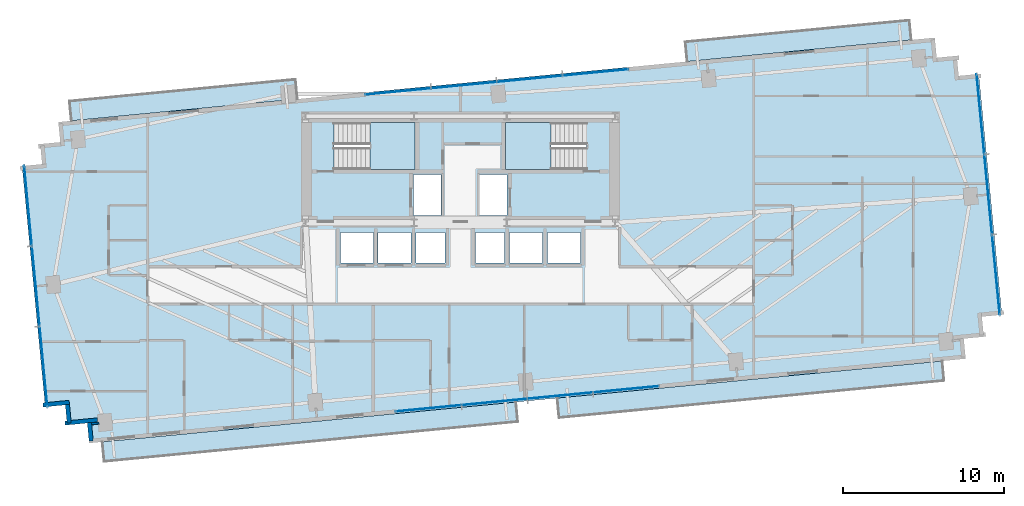
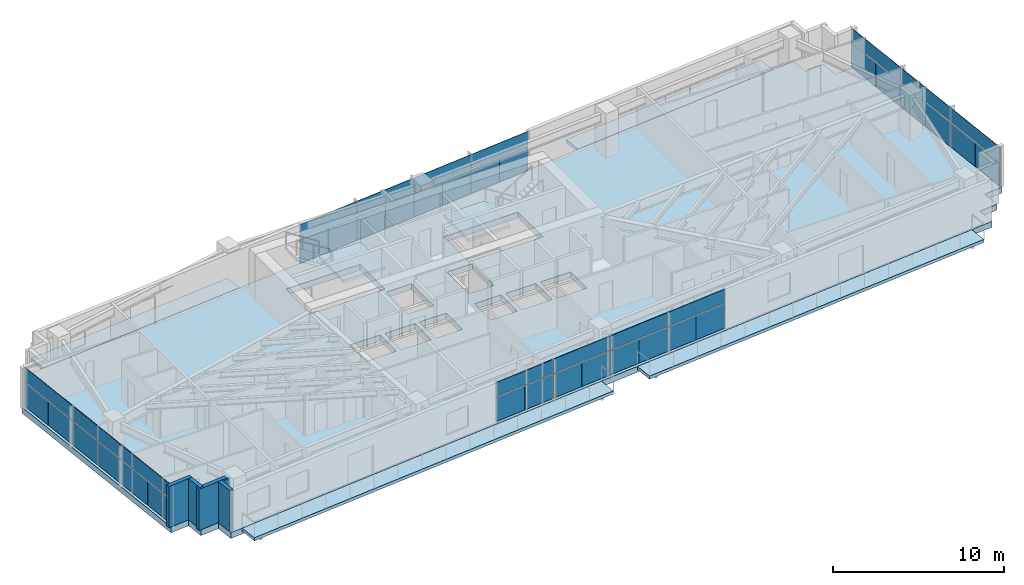
# One storey, part 18 of 25: 42 plates, 7 slabs, 5 walls, 6 elements without a shape of their own.
"""IFC4 building model written with IfcOpenShell, lengths in metres."""

from ifc_helpers import new_model, si_unit, direction, frame, frame_2d, origin, origin_2d, place, context, subcontext, project, spatial, polyline, rectangle, outline, extrude, source, transform, mapped, material, layer, layer_set, type_object, type_shapes, element, aggregate, save


model = new_model("IFC4")

# Units and contexts
model_context = context("Model", 3, precision=1e-05, world=origin(), true_north=direction((0.0, 1.0)))
body_context = subcontext(model_context, "Body", "Model", "MODEL_VIEW")
ifc_project = project(units=[si_unit("LENGTHUNIT", "METRE"), si_unit("AREAUNIT", "SQUARE_METRE"), si_unit("VOLUMEUNIT", "CUBIC_METRE"), si_unit("PLANEANGLEUNIT", "RADIAN"), si_unit("MASSUNIT", "GRAM", prefix="KILO")], contexts=[model_context])

# Site, building, storey
site_placement = place(None, origin())
site = spatial("IfcSite", under=ifc_project, at=site_placement, CompositionType="ELEMENT")
building_placement = place(site_placement, origin())
building = spatial("IfcBuilding", under=site, at=building_placement, Name="Astriad Promenade Condominiums", CompositionType="ELEMENT")
storey_placement = place(building_placement, frame((0.0, 0.0, 77.800048828125)))
storey = spatial("IfcBuildingStorey", under=building, at=storey_placement, Name="L21", CompositionType="ELEMENT", Elevation=77.800048828125)

# Slab
ifc_material_1 = material(Name="Concrete C60/75", Category="concrete")
ifc_layer_1 = layer(ifc_material_1, 0.419921875)
ifc_layer_set_1 = layer_set([ifc_layer_1], Name="Concrete C60/75")
slab_type_1 = type_object("IfcSlabType", Name="CONCRETE TRANSFER FLOOR SLAB 420", PredefinedType="FLOOR", material=ifc_layer_set_1)
slab_1_placement = place(storey_placement, frame((0.0, 0.0, -0.420166015625)))
element("IfcSlab", 1, at=slab_1_placement, inside=storey, type_object=slab_type_1, Name="Structural Floor Slab (L21)", PredefinedType="FLOOR", context=body_context, shape_type="SweptSolid", body=[
    extrude(outline(polyline([(12.984130859375, 3.7294921875), (67.332763671875, 8.962646484375), (67.212890625, 10.206787109375), (68.457275390625, 10.32666015625), (68.33740234375, 11.57080078125), (69.58154296875, 11.690673828125), (68.14404296875, 26.62158203125), (66.899658203125, 26.501953125), (66.77978515625, 27.74609375), (65.53564453125, 27.626220703125), (65.416015625, 28.87060546875), (11.067138671875, 23.637451171875), (11.18701171875, 22.39306640625), (9.94287109375, 22.273193359375), (10.0625, 21.029052734375), (8.818359375, 20.9091796875), (10.256103515625, 5.978271484375), (11.500244140625, 6.09814453125), (11.6201171875, 4.85400390625), (12.8642578125, 4.9736328125), (12.984130859375, 3.7294921875)]), holes=[polyline([(28.175048828125, 20.699951171875), (33.175048828125, 20.699951171875), (33.175048828125, 23.60009765625), (28.175048828125, 23.60009765625), (28.175048828125, 20.699951171875)]), polyline([(38.824951171875, 20.699951171875), (43.824951171875, 20.699951171875), (43.824951171875, 23.60009765625), (38.824951171875, 23.60009765625), (38.824951171875, 20.699951171875)]), polyline([(33.10009765625, 17.85009765625), (34.800048828125, 17.85009765625), (34.800048828125, 20.39990234375), (33.10009765625, 20.39990234375), (33.10009765625, 17.85009765625)]), polyline([(37.199951171875, 17.85009765625), (38.89990234375, 17.85009765625), (38.89990234375, 20.39990234375), (37.199951171875, 20.39990234375), (37.199951171875, 17.85009765625)]), polyline([(28.550048828125, 14.89990234375), (30.60009765625, 14.89990234375), (30.60009765625, 16.800048828125), (28.550048828125, 16.800048828125), (28.550048828125, 14.89990234375)]), polyline([(30.89990234375, 14.89990234375), (32.949951171875, 14.89990234375), (32.949951171875, 16.800048828125), (30.89990234375, 16.800048828125), (30.89990234375, 14.89990234375)]), polyline([(33.25, 14.89990234375), (35.050048828125, 14.89990234375), (35.050048828125, 16.800048828125), (33.25, 16.800048828125), (33.25, 14.89990234375)]), polyline([(36.949951171875, 14.89990234375), (38.75, 14.89990234375), (38.75, 16.800048828125), (36.949951171875, 16.800048828125), (36.949951171875, 14.89990234375)]), polyline([(39.050048828125, 14.89990234375), (41.10009765625, 14.89990234375), (41.10009765625, 16.800048828125), (39.050048828125, 16.800048828125), (39.050048828125, 14.89990234375)]), polyline([(41.39990234375, 14.89990234375), (43.449951171875, 14.89990234375), (43.449951171875, 16.800048828125), (41.39990234375, 16.800048828125), (41.39990234375, 14.89990234375)])]), origin(), (0.0, 0.0, 1.0), 0.420166015625),
])

# Stair, slab
ifc_material_2 = material(Name="Concrete C50/60", Category="concrete")
stair_type = type_object("IfcStairType", Name="STR-CORE-1350", PredefinedType="HALF_TURN_STAIR", material=ifc_material_2)
stair_1_placement = place(storey_placement, origin())
stair_1 = element("IfcStair", 2, at=stair_1_placement, inside=storey, type_object=stair_type, Name="L21 Enclosed Core Exit Stair ST-1", PredefinedType="HALF_TURN_STAIR")
ifc_layer_2 = layer(ifc_material_2, 0.219970703125)
ifc_layer_set_2 = layer_set([ifc_layer_2], Name="Concrete C50/60")
slab_type_2 = type_object("IfcSlabType", Name="SLB-LANDING-220", PredefinedType="LANDING", material=ifc_layer_set_2)
slab_2_placement = place(storey_placement, frame((0.0, 0.0, 1.39990234375)))
slab_2 = element("IfcSlab", 3, at=slab_2_placement, type_object=slab_type_2, Name="ST-1 landing 1", PredefinedType="LANDING", context=body_context, shape_type="SweptSolid", body=[
    extrude(outline(polyline([(30.389892578125, 20.699951171875), (33.199951171875, 20.699951171875), (33.199951171875, 23.60009765625), (30.389892578125, 23.60009765625), (30.389892578125, 20.699951171875)])), origin(), (0.0, 0.0, 1.0), 0.199951171875),
])
aggregate(stair_1, [slab_2])

stair_2_placement = place(storey_placement, origin())
stair_2 = element("IfcStair", 4, at=stair_2_placement, inside=storey, type_object=stair_type, Name="L21 Enclosed Core Exit Stair ST-2", PredefinedType="HALF_TURN_STAIR")
slab_3_placement = place(storey_placement, frame((0.0, 0.0, 1.39990234375)))
slab_3 = element("IfcSlab", 5, at=slab_3_placement, type_object=slab_type_2, Name="ST-2 landing 1", PredefinedType="LANDING", context=body_context, shape_type="SweptSolid", body=[
    extrude(outline(polyline([(41.610107421875, 23.60009765625), (38.800048828125, 23.60009765625), (38.800048828125, 20.699951171875), (41.610107421875, 20.699951171875), (41.610107421875, 23.60009765625)])), origin(), (0.0, 0.0, 1.0), 0.199951171875),
])
aggregate(stair_2, [slab_3])

# Slabs
ifc_material_3 = material(Name="Precast concrete C50/60", Category="concrete")
ifc_layer_3 = layer(ifc_material_3, 0.219970703125)
ifc_layer_set_3 = layer_set([ifc_layer_3], Name="Precast concrete C50/60")
slab_type_3 = type_object("IfcSlabType", Name="WHITE PRECAST CONCRETE WAVE BALCONY SLAB 220", PredefinedType="FLOOR", material=ifc_layer_set_3)
slab_4_placement = place(storey_placement, frame((0.0, 0.0, -0.219970703125)))
element("IfcSlab", 6, at=slab_4_placement, inside=storey, type_object=slab_type_3, Name="White Precast Wave Balcony Slab BAL-L21-SW", PredefinedType="FLOOR", context=body_context, shape_type="SweptSolid", body=[
    extrude(outline(polyline([(39.556640625, 5.0625), (13.913330078125, 2.59326171875), (13.796630859375, 3.8056640625), (39.43994140625, 6.27490234375), (39.556640625, 5.0625)])), origin(), (0.0, 0.0, 1.0), 0.219970703125),
])
slab_5_placement = place(storey_placement, frame((0.0, 0.0, -0.219970703125)))
element("IfcSlab", 7, at=slab_5_placement, inside=storey, type_object=slab_type_3, Name="White Precast Wave Balcony Slab BAL-L21-SE", PredefinedType="FLOOR", context=body_context, shape_type="SweptSolid", body=[
    extrude(outline(polyline([(65.992431640625, 7.60791015625), (42.122802734375, 5.3095703125), (42.006103515625, 6.52197265625), (65.875732421875, 8.8203125), (65.992431640625, 7.60791015625)])), origin(), (0.0, 0.0, 1.0), 0.219970703125),
])
slab_6_placement = place(storey_placement, frame((0.0, 0.0, -0.219970703125)))
element("IfcSlab", 8, at=slab_6_placement, inside=storey, type_object=slab_type_3, Name="White Precast Wave Balcony Slab BAL-L21-NW", PredefinedType="FLOOR", context=body_context, shape_type="SweptSolid", body=[
    extrude(outline(polyline([(11.762451171875, 24.929931640625), (25.771728515625, 26.27880859375), (25.888427734375, 25.06640625), (11.87939453125, 23.717529296875), (11.762451171875, 24.929931640625)])), origin(), (0.0, 0.0, 1.0), 0.219970703125),
])
slab_7_placement = place(storey_placement, frame((0.0, 0.0, -0.219970703125)))
element("IfcSlab", 9, at=slab_7_placement, inside=storey, type_object=slab_type_3, Name="White Precast Wave Balcony Slab BAL-L21-NE", PredefinedType="FLOOR", context=body_context, shape_type="SweptSolid", body=[
    extrude(outline(polyline([(49.949951171875, 28.60693359375), (63.841796875, 29.944580078125), (63.95849609375, 28.732421875), (50.066650390625, 27.39453125), (49.949951171875, 28.60693359375)])), origin(), (0.0, 0.0, 1.0), 0.219970703125),
])

# Curtain wall, plates
ifc_material_4 = material(Name="Anodised aluminium Black Dark Glass Unitised", Category="aluminium")
curtain_wall_type = type_object("IfcCurtainWallType", Name="CW-B2-DARK", PredefinedType="USERDEFINED", material=ifc_material_4)
curtain_wall_1_placement = place(storey_placement, origin())
curtain_wall_1 = element("IfcCurtainWall", 10, at=curtain_wall_1_placement, inside=storey, type_object=curtain_wall_type, Name="CW-L21-W", ObjectType="UNITISED_CURTAIN_WALL", PredefinedType="USERDEFINED")
ifc_material_5 = material(Name="Dark Tinted Low-E Laminated Glass", Category="glass")
ifc_layer_4 = layer(ifc_material_5, 0.035888671875)
ifc_layer_set_4 = layer_set([ifc_layer_4], Name="Dark Tinted Low-E Laminated Glass")
plate_type = type_object("IfcPlateType", Name="PNL-DARK-GLASS-36", PredefinedType="CURTAIN_PANEL", material=ifc_layer_set_4)
shared_shape_1 = source(origin(), body_context, "Body", "SweptSolid", [
    extrude(rectangle(XDim=2.488037109375, YDim=0.035888671875, at=origin_2d()), origin(), (0.0, 0.0, 1.0), 1.702880859375),
])
plate_1_placement = place(storey_placement, frame((10.265625, 7.235107421875, 0.080078125), z_axis=(0.0, 0.0, 1.0), x_axis=(-0.09584575252, 0.995396198367, 0.0)))
plate_1 = element("IfcPlate", 11, at=plate_1_placement, type_object=plate_type, Name="CW-L21-W-PNL-00-VL", PredefinedType="CURTAIN_PANEL", context=body_context, shape_type="MappedRepresentation", body=[
    mapped(shared_shape_1, transform((0.0, 0.0, 0.0), scale=1.0)),
])
plate_2_placement = place(storey_placement, frame((10.02587890625, 9.723388671875, 0.080078125), z_axis=(0.0, 0.0, 1.0), x_axis=(-0.09584575252, 0.995396198367, 0.0)))
plate_2 = element("IfcPlate", 12, at=plate_2_placement, type_object=plate_type, Name="CW-L21-W-PNL-00-VR", PredefinedType="CURTAIN_PANEL", context=body_context, shape_type="MappedRepresentation", body=[
    mapped(shared_shape_1, transform((0.0, 0.0, 0.0), scale=1.0)),
])
plate_3_placement = place(storey_placement, frame((9.786376953125, 12.212158203125, 0.080078125), z_axis=(0.0, 0.0, 1.0), x_axis=(-0.09584575252, 0.995396198367, 0.0)))
plate_3 = element("IfcPlate", 13, at=plate_3_placement, type_object=plate_type, Name="CW-L21-W-PNL-01-VL", PredefinedType="CURTAIN_PANEL", context=body_context, shape_type="MappedRepresentation", body=[
    mapped(shared_shape_1, transform((0.0, 0.0, 0.0), scale=1.0)),
])
plate_4_placement = place(storey_placement, frame((9.546875, 14.700439453125, 0.080078125), z_axis=(0.0, 0.0, 1.0), x_axis=(-0.09584575252, 0.995396198367, 0.0)))
plate_4 = element("IfcPlate", 14, at=plate_4_placement, type_object=plate_type, Name="CW-L21-W-PNL-01-VR", PredefinedType="CURTAIN_PANEL", context=body_context, shape_type="MappedRepresentation", body=[
    mapped(shared_shape_1, transform((0.0, 0.0, 0.0), scale=1.0)),
])
plate_5_placement = place(storey_placement, frame((9.30712890625, 17.189208984375, 0.080078125), z_axis=(0.0, 0.0, 1.0), x_axis=(-0.09584575252, 0.995396198367, 0.0)))
plate_5 = element("IfcPlate", 15, at=plate_5_placement, type_object=plate_type, Name="CW-L21-W-PNL-02-VL", PredefinedType="CURTAIN_PANEL", context=body_context, shape_type="MappedRepresentation", body=[
    mapped(shared_shape_1, transform((0.0, 0.0, 0.0), scale=1.0)),
])
plate_6_placement = place(storey_placement, frame((9.067626953125, 19.677490234375, 0.080078125), z_axis=(0.0, 0.0, 1.0), x_axis=(-0.09584575252, 0.995396198367, 0.0)))
plate_6 = element("IfcPlate", 16, at=plate_6_placement, type_object=plate_type, Name="CW-L21-W-PNL-02-VR", PredefinedType="CURTAIN_PANEL", context=body_context, shape_type="MappedRepresentation", body=[
    mapped(shared_shape_1, transform((0.0, 0.0, 0.0), scale=1.0)),
])

curtain_wall_2_placement = place(storey_placement, origin())
curtain_wall_2 = element("IfcCurtainWall", 17, at=curtain_wall_2_placement, inside=storey, type_object=curtain_wall_type, Name="CW-L21-E", ObjectType="UNITISED_CURTAIN_WALL", PredefinedType="USERDEFINED")
plate_7_placement = place(storey_placement, frame((68.134521484375, 25.364990234375, 0.080078125), z_axis=(0.0, 0.0, 1.0), x_axis=(0.09584575252, -0.995396198367, 0.0)))
plate_7 = element("IfcPlate", 18, at=plate_7_placement, type_object=plate_type, Name="CW-L21-E-PNL-00-VL", PredefinedType="CURTAIN_PANEL", context=body_context, shape_type="MappedRepresentation", body=[
    mapped(shared_shape_1, transform((0.0, 0.0, 0.0), scale=1.0)),
])
plate_8_placement = place(storey_placement, frame((68.3740234375, 22.87646484375, 0.080078125), z_axis=(0.0, 0.0, 1.0), x_axis=(0.09584575252, -0.995396198367, 0.0)))
plate_8 = element("IfcPlate", 19, at=plate_8_placement, type_object=plate_type, Name="CW-L21-E-PNL-00-VR", PredefinedType="CURTAIN_PANEL", context=body_context, shape_type="MappedRepresentation", body=[
    mapped(shared_shape_1, transform((0.0, 0.0, 0.0), scale=1.0)),
])
plate_9_placement = place(storey_placement, frame((68.613525390625, 20.387939453125, 0.080078125), z_axis=(0.0, 0.0, 1.0), x_axis=(0.09584575252, -0.995396198367, 0.0)))
plate_9 = element("IfcPlate", 20, at=plate_9_placement, type_object=plate_type, Name="CW-L21-E-PNL-01-VL", PredefinedType="CURTAIN_PANEL", context=body_context, shape_type="MappedRepresentation", body=[
    mapped(shared_shape_1, transform((0.0, 0.0, 0.0), scale=1.0)),
])
plate_10_placement = place(storey_placement, frame((68.853271484375, 17.8994140625, 0.080078125), z_axis=(0.0, 0.0, 1.0), x_axis=(0.09584575252, -0.995396198367, 0.0)))
plate_10 = element("IfcPlate", 21, at=plate_10_placement, type_object=plate_type, Name="CW-L21-E-PNL-01-VR", PredefinedType="CURTAIN_PANEL", context=body_context, shape_type="MappedRepresentation", body=[
    mapped(shared_shape_1, transform((0.0, 0.0, 0.0), scale=1.0)),
])
plate_11_placement = place(storey_placement, frame((69.0927734375, 15.410888671875, 0.080078125), z_axis=(0.0, 0.0, 1.0), x_axis=(0.09584575252, -0.995396198367, 0.0)))
plate_11 = element("IfcPlate", 22, at=plate_11_placement, type_object=plate_type, Name="CW-L21-E-PNL-02-VL", PredefinedType="CURTAIN_PANEL", context=body_context, shape_type="MappedRepresentation", body=[
    mapped(shared_shape_1, transform((0.0, 0.0, 0.0), scale=1.0)),
])
plate_12_placement = place(storey_placement, frame((69.33251953125, 12.922607421875, 0.080078125), z_axis=(0.0, 0.0, 1.0), x_axis=(0.09584575252, -0.995396198367, 0.0)))
plate_12 = element("IfcPlate", 23, at=plate_12_placement, type_object=plate_type, Name="CW-L21-E-PNL-02-VR", PredefinedType="CURTAIN_PANEL", context=body_context, shape_type="MappedRepresentation", body=[
    mapped(shared_shape_1, transform((0.0, 0.0, 0.0), scale=1.0)),
])

# Plate
shared_shape_2 = source(origin(), body_context, "Body", "SweptSolid", [
    extrude(rectangle(XDim=4.988037109375, YDim=0.035888671875, at=origin_2d()), origin(), (0.0, 0.0, 1.0), 0.997314453125),
])
plate_13_placement = place(storey_placement, frame((10.145751953125, 8.479248046875, 1.86279296875), z_axis=(0.0, 0.0, 1.0), x_axis=(-0.09584575252, 0.995396198367, 0.0)))
plate_13 = element("IfcPlate", 24, at=plate_13_placement, type_object=plate_type, Name="CW-L21-W-PNL-00-S", PredefinedType="CURTAIN_PANEL", context=body_context, shape_type="MappedRepresentation", body=[
    mapped(shared_shape_2, transform((0.0, 0.0, 0.0), scale=1.0)),
])

plate_14_placement = place(storey_placement, frame((9.66650390625, 13.456298828125, 1.86279296875), z_axis=(0.0, 0.0, 1.0), x_axis=(-0.09584575252, 0.995396198367, 0.0)))
plate_14 = element("IfcPlate", 25, at=plate_14_placement, type_object=plate_type, Name="CW-L21-W-PNL-01-S", PredefinedType="CURTAIN_PANEL", context=body_context, shape_type="MappedRepresentation", body=[
    mapped(shared_shape_2, transform((0.0, 0.0, 0.0), scale=1.0)),
])

plate_15_placement = place(storey_placement, frame((9.1875, 18.433349609375, 1.86279296875), z_axis=(0.0, 0.0, 1.0), x_axis=(-0.09584575252, 0.995396198367, 0.0)))
plate_15 = element("IfcPlate", 26, at=plate_15_placement, type_object=plate_type, Name="CW-L21-W-PNL-02-S", PredefinedType="CURTAIN_PANEL", context=body_context, shape_type="MappedRepresentation", body=[
    mapped(shared_shape_2, transform((0.0, 0.0, 0.0), scale=1.0)),
])

aggregate(curtain_wall_1, [plate_1, plate_2, plate_13, plate_3, plate_4, plate_14, plate_5, plate_6, plate_15])

plate_16_placement = place(storey_placement, frame((68.254150390625, 24.12060546875, 1.86279296875), z_axis=(0.0, 0.0, 1.0), x_axis=(0.09584575252, -0.995396198367, 0.0)))
plate_16 = element("IfcPlate", 27, at=plate_16_placement, type_object=plate_type, Name="CW-L21-E-PNL-00-S", PredefinedType="CURTAIN_PANEL", context=body_context, shape_type="MappedRepresentation", body=[
    mapped(shared_shape_2, transform((0.0, 0.0, 0.0), scale=1.0)),
])

plate_17_placement = place(storey_placement, frame((68.7333984375, 19.143798828125, 1.86279296875), z_axis=(0.0, 0.0, 1.0), x_axis=(0.09584575252, -0.995396198367, 0.0)))
plate_17 = element("IfcPlate", 28, at=plate_17_placement, type_object=plate_type, Name="CW-L21-E-PNL-01-S", PredefinedType="CURTAIN_PANEL", context=body_context, shape_type="MappedRepresentation", body=[
    mapped(shared_shape_2, transform((0.0, 0.0, 0.0), scale=1.0)),
])

plate_18_placement = place(storey_placement, frame((69.212646484375, 14.166748046875, 1.86279296875), z_axis=(0.0, 0.0, 1.0), x_axis=(0.09584575252, -0.995396198367, 0.0)))
plate_18 = element("IfcPlate", 29, at=plate_18_placement, type_object=plate_type, Name="CW-L21-E-PNL-02-S", PredefinedType="CURTAIN_PANEL", context=body_context, shape_type="MappedRepresentation", body=[
    mapped(shared_shape_2, transform((0.0, 0.0, 0.0), scale=1.0)),
])

aggregate(curtain_wall_2, [plate_7, plate_8, plate_16, plate_9, plate_10, plate_17, plate_11, plate_12, plate_18])

# Curtain wall, plates
curtain_wall_3_placement = place(storey_placement, origin())
curtain_wall_3 = element("IfcCurtainWall", 30, at=curtain_wall_3_placement, inside=storey, type_object=curtain_wall_type, Name="CW-L21-N", ObjectType="UNITISED_CURTAIN_WALL", PredefinedType="USERDEFINED")
shared_shape_3 = source(origin(), body_context, "Body", "SweptSolid", [
    extrude(rectangle(XDim=2.035400390625, YDim=0.035888671875, at=origin_2d()), origin(), (0.0, 0.0, 1.0), 1.702880859375),
])
plate_19_placement = place(storey_placement, frame((31.12060546875, 25.437744140625, 0.080078125), z_axis=(0.0, 0.0, 1.0), x_axis=(0.995396198367, 0.09584575252, 0.0)))
plate_19 = element("IfcPlate", 31, at=plate_19_placement, type_object=plate_type, Name="CW-L21-N-PNL-00-VL", PredefinedType="CURTAIN_PANEL", context=body_context, shape_type="MappedRepresentation", body=[
    mapped(shared_shape_3, transform((0.0, 0.0, 0.0), scale=1.0)),
])
plate_20_placement = place(storey_placement, frame((33.15869140625, 25.634033203125, 0.080078125), z_axis=(0.0, 0.0, 1.0), x_axis=(0.995396198367, 0.09584575252, 0.0)))
plate_20 = element("IfcPlate", 32, at=plate_20_placement, type_object=plate_type, Name="CW-L21-N-PNL-00-VR", PredefinedType="CURTAIN_PANEL", context=body_context, shape_type="MappedRepresentation", body=[
    mapped(shared_shape_3, transform((0.0, 0.0, 0.0), scale=1.0)),
])
plate_21_placement = place(storey_placement, frame((35.19677734375, 25.830078125, 0.080078125), z_axis=(0.0, 0.0, 1.0), x_axis=(0.995396198367, 0.09584575252, 0.0)))
plate_21 = element("IfcPlate", 33, at=plate_21_placement, type_object=plate_type, Name="CW-L21-N-PNL-01-VL", PredefinedType="CURTAIN_PANEL", context=body_context, shape_type="MappedRepresentation", body=[
    mapped(shared_shape_3, transform((0.0, 0.0, 0.0), scale=1.0)),
])
plate_22_placement = place(storey_placement, frame((37.23486328125, 26.026611328125, 0.080078125), z_axis=(0.0, 0.0, 1.0), x_axis=(0.995396198367, 0.09584575252, 0.0)))
plate_22 = element("IfcPlate", 34, at=plate_22_placement, type_object=plate_type, Name="CW-L21-N-PNL-01-VR", PredefinedType="CURTAIN_PANEL", context=body_context, shape_type="MappedRepresentation", body=[
    mapped(shared_shape_3, transform((0.0, 0.0, 0.0), scale=1.0)),
])
plate_23_placement = place(storey_placement, frame((39.27294921875, 26.22265625, 0.080078125), z_axis=(0.0, 0.0, 1.0), x_axis=(0.995396198367, 0.09584575252, 0.0)))
plate_23 = element("IfcPlate", 35, at=plate_23_placement, type_object=plate_type, Name="CW-L21-N-PNL-02-VL", PredefinedType="CURTAIN_PANEL", context=body_context, shape_type="MappedRepresentation", body=[
    mapped(shared_shape_3, transform((0.0, 0.0, 0.0), scale=1.0)),
])
plate_24_placement = place(storey_placement, frame((41.31103515625, 26.4189453125, 0.080078125), z_axis=(0.0, 0.0, 1.0), x_axis=(0.995396198367, 0.09584575252, 0.0)))
plate_24 = element("IfcPlate", 36, at=plate_24_placement, type_object=plate_type, Name="CW-L21-N-PNL-02-VR", PredefinedType="CURTAIN_PANEL", context=body_context, shape_type="MappedRepresentation", body=[
    mapped(shared_shape_3, transform((0.0, 0.0, 0.0), scale=1.0)),
])
plate_25_placement = place(storey_placement, frame((43.34912109375, 26.615234375, 0.080078125), z_axis=(0.0, 0.0, 1.0), x_axis=(0.995396198367, 0.09584575252, 0.0)))
plate_25 = element("IfcPlate", 37, at=plate_25_placement, type_object=plate_type, Name="CW-L21-N-PNL-03-VL", PredefinedType="CURTAIN_PANEL", context=body_context, shape_type="MappedRepresentation", body=[
    mapped(shared_shape_3, transform((0.0, 0.0, 0.0), scale=1.0)),
])
plate_26_placement = place(storey_placement, frame((45.38720703125, 26.8115234375, 0.080078125), z_axis=(0.0, 0.0, 1.0), x_axis=(0.995396198367, 0.09584575252, 0.0)))
plate_26 = element("IfcPlate", 38, at=plate_26_placement, type_object=plate_type, Name="CW-L21-N-PNL-03-VR", PredefinedType="CURTAIN_PANEL", context=body_context, shape_type="MappedRepresentation", body=[
    mapped(shared_shape_3, transform((0.0, 0.0, 0.0), scale=1.0)),
])

curtain_wall_4_placement = place(storey_placement, origin())
curtain_wall_4 = element("IfcCurtainWall", 39, at=curtain_wall_4_placement, inside=storey, type_object=curtain_wall_type, Name="CW-L21-S", ObjectType="UNITISED_CURTAIN_WALL", PredefinedType="USERDEFINED")
plate_27_placement = place(storey_placement, frame((47.279296875, 7.162353515625, 0.080078125), z_axis=(0.0, 0.0, 1.0), x_axis=(-0.995396198367, -0.09584575252, 0.0)))
plate_27 = element("IfcPlate", 40, at=plate_27_placement, type_object=plate_type, Name="CW-L21-S-PNL-00-VL", PredefinedType="CURTAIN_PANEL", context=body_context, shape_type="MappedRepresentation", body=[
    mapped(shared_shape_3, transform((0.0, 0.0, 0.0), scale=1.0)),
])
plate_28_placement = place(storey_placement, frame((45.2412109375, 6.966064453125, 0.080078125), z_axis=(0.0, 0.0, 1.0), x_axis=(-0.995396198367, -0.09584575252, 0.0)))
plate_28 = element("IfcPlate", 41, at=plate_28_placement, type_object=plate_type, Name="CW-L21-S-PNL-00-VR", PredefinedType="CURTAIN_PANEL", context=body_context, shape_type="MappedRepresentation", body=[
    mapped(shared_shape_3, transform((0.0, 0.0, 0.0), scale=1.0)),
])
plate_29_placement = place(storey_placement, frame((43.203125, 6.769775390625, 0.080078125), z_axis=(0.0, 0.0, 1.0), x_axis=(-0.995396198367, -0.09584575252, 0.0)))
plate_29 = element("IfcPlate", 42, at=plate_29_placement, type_object=plate_type, Name="CW-L21-S-PNL-01-VL", PredefinedType="CURTAIN_PANEL", context=body_context, shape_type="MappedRepresentation", body=[
    mapped(shared_shape_3, transform((0.0, 0.0, 0.0), scale=1.0)),
])
plate_30_placement = place(storey_placement, frame((41.1650390625, 6.573486328125, 0.080078125), z_axis=(0.0, 0.0, 1.0), x_axis=(-0.995396198367, -0.09584575252, 0.0)))
plate_30 = element("IfcPlate", 43, at=plate_30_placement, type_object=plate_type, Name="CW-L21-S-PNL-01-VR", PredefinedType="CURTAIN_PANEL", context=body_context, shape_type="MappedRepresentation", body=[
    mapped(shared_shape_3, transform((0.0, 0.0, 0.0), scale=1.0)),
])
plate_31_placement = place(storey_placement, frame((39.126953125, 6.377197265625, 0.080078125), z_axis=(0.0, 0.0, 1.0), x_axis=(-0.995396198367, -0.09584575252, 0.0)))
plate_31 = element("IfcPlate", 44, at=plate_31_placement, type_object=plate_type, Name="CW-L21-S-PNL-02-VL", PredefinedType="CURTAIN_PANEL", context=body_context, shape_type="MappedRepresentation", body=[
    mapped(shared_shape_3, transform((0.0, 0.0, 0.0), scale=1.0)),
])
plate_32_placement = place(storey_placement, frame((37.0888671875, 6.180908203125, 0.080078125), z_axis=(0.0, 0.0, 1.0), x_axis=(-0.995396198367, -0.09584575252, 0.0)))
plate_32 = element("IfcPlate", 45, at=plate_32_placement, type_object=plate_type, Name="CW-L21-S-PNL-02-VR", PredefinedType="CURTAIN_PANEL", context=body_context, shape_type="MappedRepresentation", body=[
    mapped(shared_shape_3, transform((0.0, 0.0, 0.0), scale=1.0)),
])
plate_33_placement = place(storey_placement, frame((35.05078125, 5.98486328125, 0.080078125), z_axis=(0.0, 0.0, 1.0), x_axis=(-0.995396198367, -0.09584575252, 0.0)))
plate_33 = element("IfcPlate", 46, at=plate_33_placement, type_object=plate_type, Name="CW-L21-S-PNL-03-VL", PredefinedType="CURTAIN_PANEL", context=body_context, shape_type="MappedRepresentation", body=[
    mapped(shared_shape_3, transform((0.0, 0.0, 0.0), scale=1.0)),
])
plate_34_placement = place(storey_placement, frame((33.0126953125, 5.78857421875, 0.080078125), z_axis=(0.0, 0.0, 1.0), x_axis=(-0.995396198367, -0.09584575252, 0.0)))
plate_34 = element("IfcPlate", 47, at=plate_34_placement, type_object=plate_type, Name="CW-L21-S-PNL-03-VR", PredefinedType="CURTAIN_PANEL", context=body_context, shape_type="MappedRepresentation", body=[
    mapped(shared_shape_3, transform((0.0, 0.0, 0.0), scale=1.0)),
])

# Plate
shared_shape_4 = source(origin(), body_context, "Body", "SweptSolid", [
    extrude(rectangle(XDim=4.0830078125, YDim=0.035888671875, at=origin_2d()), origin(), (0.0, 0.0, 1.0), 0.997314453125),
])
type_shapes(plate_type, [shared_shape_1, shared_shape_2, shared_shape_3, shared_shape_4])
plate_35_placement = place(storey_placement, frame((32.1396484375, 25.535888671875, 1.86279296875), z_axis=(0.0, 0.0, 1.0), x_axis=(0.995396198367, 0.09584575252, 0.0)))
plate_35 = element("IfcPlate", 48, at=plate_35_placement, type_object=plate_type, Name="CW-L21-N-PNL-00-S", PredefinedType="CURTAIN_PANEL", context=body_context, shape_type="MappedRepresentation", body=[
    mapped(shared_shape_4, transform((0.0, 0.0, 0.0), scale=1.0)),
])

plate_36_placement = place(storey_placement, frame((36.2158203125, 25.928466796875, 1.86279296875), z_axis=(0.0, 0.0, 1.0), x_axis=(0.995396198367, 0.09584575252, 0.0)))
plate_36 = element("IfcPlate", 49, at=plate_36_placement, type_object=plate_type, Name="CW-L21-N-PNL-01-S", PredefinedType="CURTAIN_PANEL", context=body_context, shape_type="MappedRepresentation", body=[
    mapped(shared_shape_4, transform((0.0, 0.0, 0.0), scale=1.0)),
])

plate_37_placement = place(storey_placement, frame((40.2919921875, 26.32080078125, 1.86279296875), z_axis=(0.0, 0.0, 1.0), x_axis=(0.995396198367, 0.09584575252, 0.0)))
plate_37 = element("IfcPlate", 50, at=plate_37_placement, type_object=plate_type, Name="CW-L21-N-PNL-02-S", PredefinedType="CURTAIN_PANEL", context=body_context, shape_type="MappedRepresentation", body=[
    mapped(shared_shape_4, transform((0.0, 0.0, 0.0), scale=1.0)),
])

plate_38_placement = place(storey_placement, frame((44.368408203125, 26.71337890625, 1.86279296875), z_axis=(0.0, 0.0, 1.0), x_axis=(0.995396198367, 0.09584575252, 0.0)))
plate_38 = element("IfcPlate", 51, at=plate_38_placement, type_object=plate_type, Name="CW-L21-N-PNL-03-S", PredefinedType="CURTAIN_PANEL", context=body_context, shape_type="MappedRepresentation", body=[
    mapped(shared_shape_4, transform((0.0, 0.0, 0.0), scale=1.0)),
])

aggregate(curtain_wall_3, [plate_19, plate_20, plate_35, plate_21, plate_22, plate_36, plate_23, plate_24, plate_37, plate_25, plate_26, plate_38])

plate_39_placement = place(storey_placement, frame((46.26025390625, 7.064208984375, 1.86279296875), z_axis=(0.0, 0.0, 1.0), x_axis=(-0.995396198367, -0.09584575252, 0.0)))
plate_39 = element("IfcPlate", 52, at=plate_39_placement, type_object=plate_type, Name="CW-L21-S-PNL-00-S", PredefinedType="CURTAIN_PANEL", context=body_context, shape_type="MappedRepresentation", body=[
    mapped(shared_shape_4, transform((0.0, 0.0, 0.0), scale=1.0)),
])

plate_40_placement = place(storey_placement, frame((42.18408203125, 6.671630859375, 1.86279296875), z_axis=(0.0, 0.0, 1.0), x_axis=(-0.995396198367, -0.09584575252, 0.0)))
plate_40 = element("IfcPlate", 53, at=plate_40_placement, type_object=plate_type, Name="CW-L21-S-PNL-01-S", PredefinedType="CURTAIN_PANEL", context=body_context, shape_type="MappedRepresentation", body=[
    mapped(shared_shape_4, transform((0.0, 0.0, 0.0), scale=1.0)),
])

plate_41_placement = place(storey_placement, frame((38.10791015625, 6.279052734375, 1.86279296875), z_axis=(0.0, 0.0, 1.0), x_axis=(-0.995396198367, -0.09584575252, 0.0)))
plate_41 = element("IfcPlate", 54, at=plate_41_placement, type_object=plate_type, Name="CW-L21-S-PNL-02-S", PredefinedType="CURTAIN_PANEL", context=body_context, shape_type="MappedRepresentation", body=[
    mapped(shared_shape_4, transform((0.0, 0.0, 0.0), scale=1.0)),
])

plate_42_placement = place(storey_placement, frame((34.03173828125, 5.88671875, 1.86279296875), z_axis=(0.0, 0.0, 1.0), x_axis=(-0.995396198367, -0.09584575252, 0.0)))
plate_42 = element("IfcPlate", 55, at=plate_42_placement, type_object=plate_type, Name="CW-L21-S-PNL-03-S", PredefinedType="CURTAIN_PANEL", context=body_context, shape_type="MappedRepresentation", body=[
    mapped(shared_shape_4, transform((0.0, 0.0, 0.0), scale=1.0)),
])

aggregate(curtain_wall_4, [plate_27, plate_28, plate_39, plate_29, plate_30, plate_40, plate_31, plate_32, plate_41, plate_33, plate_34, plate_42])

# Walls
ifc_layer_5 = layer(ifc_material_3, 0.260009765625)
ifc_layer_set_5 = layer_set([ifc_layer_5], Name="Precast concrete C50/60")
wall_type_1 = type_object("IfcWallType", Name="WALL-EXT-TWR-260", PredefinedType="STANDARD", material=ifc_layer_set_5)
wall_1_placement = place(storey_placement, frame((13.496826171875, 5.165283203125, 0.0), z_axis=(0.0, 0.0, 1.0), x_axis=(-0.995386060643, -0.095950978511, 0.0)))
element("IfcWall", 56, at=wall_1_placement, inside=storey, type_object=wall_type_1, Name="W-SER-L21-00", PredefinedType="STANDARD", context=body_context, shape_type="SweptSolid", body=[
    extrude(rectangle(XDim=2.02783203125, YDim=0.260009765625, at=frame_2d((1.013916015625, 0.0))), origin(), (0.0, 0.0, 1.0), 2.93994140625),
])
wall_2_placement = place(storey_placement, frame((11.738525390625, 4.98095703125, 0.0), z_axis=(0.0, 0.0, 1.0), x_axis=(-0.09576095695, 0.995404359607, 0.0)))
element("IfcWall", 57, at=wall_2_placement, inside=storey, type_object=wall_type_1, Name="W-SER-L21-01", PredefinedType="STANDARD", context=body_context, shape_type="SweptSolid", body=[
    extrude(rectangle(XDim=1.14990234375, YDim=0.260009765625, at=frame_2d((0.574951171875, 0.0))), origin(), (0.0, 0.0, 1.0), 2.93994140625),
])
wall_3_placement = place(storey_placement, frame((11.74658203125, 6.25244140625, 0.0), z_axis=(0.0, 0.0, 1.0), x_axis=(-0.995394563142, -0.095862733462, 0.0)))
element("IfcWall", 58, at=wall_3_placement, inside=storey, type_object=wall_type_1, Name="W-SER-L21-02", PredefinedType="STANDARD", context=body_context, shape_type="SweptSolid", body=[
    extrude(rectangle(XDim=1.64013671875, YDim=0.260009765625, at=frame_2d((0.820068359375, 0.0))), origin(), (0.0, 0.0, 1.0), 2.93994140625),
])
wall_4_placement = place(storey_placement, frame((13.1025390625, 3.8564453125, 0.0), z_axis=(0.0, 0.0, 1.0), x_axis=(-0.095951054827, 0.995386053287, 0.0)))
element("IfcWall", 59, at=wall_4_placement, inside=storey, type_object=wall_type_1, Name="W-SER-L21-19", PredefinedType="STANDARD", context=body_context, shape_type="SweptSolid", body=[
    extrude(rectangle(XDim=1.150146484375, YDim=0.260009765625, at=frame_2d((0.5751953125, 0.0))), origin(), (0.0, 0.0, 1.0), 2.93994140625),
])
ifc_material_6 = material(Name="Acoustic Metal-Stud Gypsum Partition")
ifc_layer_6 = layer(ifc_material_6, 0.1201171875)
ifc_layer_set_6 = layer_set([ifc_layer_6], Name="Acoustic Metal-Stud Gypsum Partition")
wall_type_2 = type_object("IfcWallType", Name="WALL-PART-120", PredefinedType="PARTITIONING", material=ifc_layer_set_6)
wall_5_placement = place(storey_placement, frame((13.587646484375, 4.972900390625, 0.0), z_axis=(0.0, 0.0, 1.0), x_axis=(-0.995435366701, -0.095438098896, 0.0)))
element("IfcWall", 60, at=wall_5_placement, inside=storey, type_object=wall_type_2, Name="PT-PIL-L21-PC01-8", PredefinedType="PARTITIONING", context=body_context, shape_type="SweptSolid", body=[
    extrude(rectangle(XDim=0.4580078125, YDim=0.1201171875, at=frame_2d((0.22900390625, 0.0))), origin(), (0.0, 0.0, 1.0), 2.93994140625),
])

save(model, "model.ifc")
